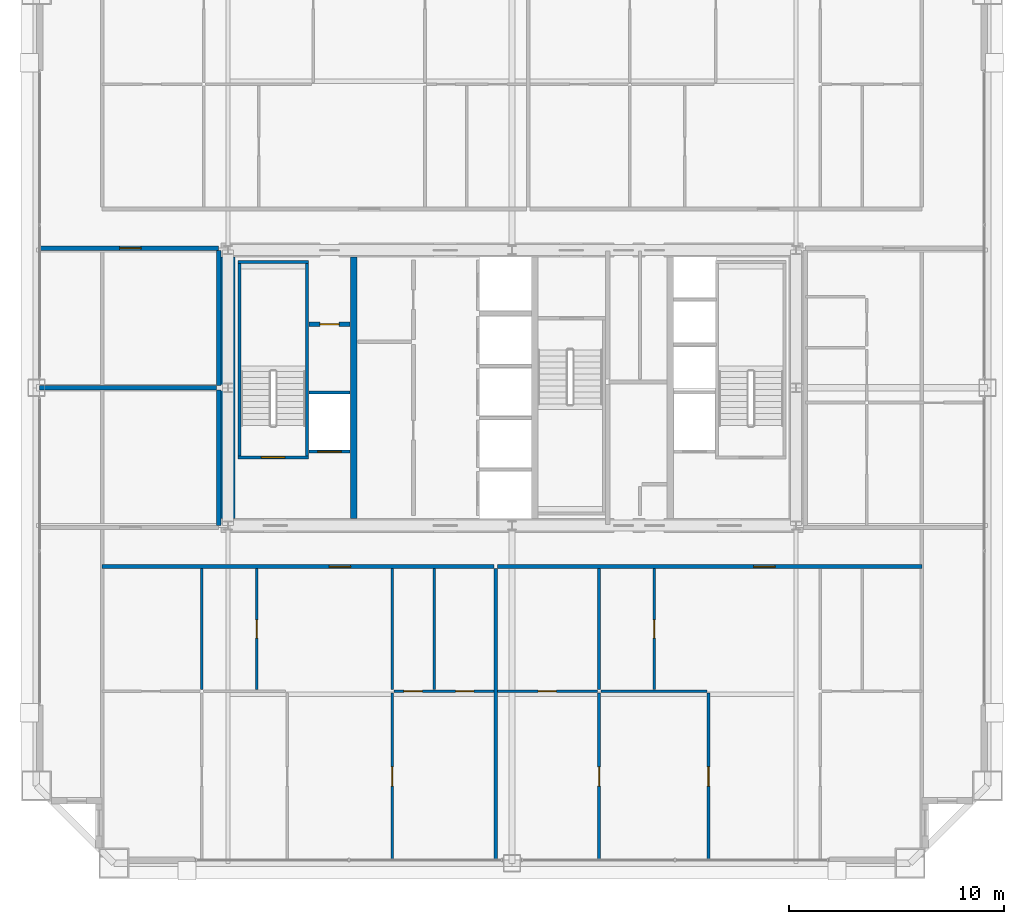
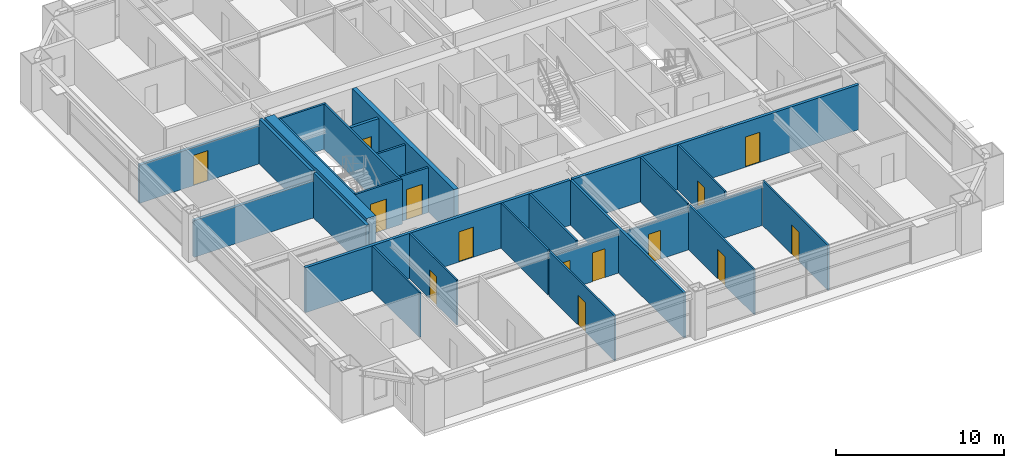
# One storey, part 33 of 38: 28 walls, 14 doors, 14 openings.
"""IFC4 building model written with IfcOpenShell, lengths in metres."""

import ifcopenshell
import ifcopenshell.guid

model = None  # the IFC model being written
_history = None  # IfcOwnerHistory: only IFC2X3 demands one
_inside = {}  # id of a spatial element -> (the spatial element, [elements in it])
_under = {}  # id of a project, library or spatial element -> (it, [spatial elements below it])
_declared = {}  # id of a project -> (the project, [libraries it declares])
_typed = {}  # id of a type object -> (the type object, [elements of that type])
_made_of = {}  # id of a material, layer set ... -> (it, [elements and type objects made of it])


def new_model(schema):
    """Start an empty IFC model of exactly this schema.

    Asked for "IFC4X3", IfcOpenShell would pick the latest addendum, in which some entities
    have other attributes; the version numbers below select the first issue.
    IFC2X3 requires an IfcOwnerHistory on every rooted entity: one is made here for all.
    """
    global model, _history
    if schema == "IFC4X3":
        model = ifcopenshell.file(schema_version=(4, 3, 0, 0))
    else:
        model = ifcopenshell.file(schema=schema)
    _inside.clear()
    _under.clear()
    _declared.clear()
    _typed.clear()
    _made_of.clear()
    _history = None
    if model.schema == "IFC2X3":
        org = make("IfcOrganization", Name="unknown")
        user = make(
            "IfcPersonAndOrganization",
            ThePerson=make("IfcPerson", FamilyName="unknown"),
            TheOrganization=org,
        )
        app = make(
            "IfcApplication",
            ApplicationDeveloper=org,
            Version="unknown",
            ApplicationFullName="unknown",
            ApplicationIdentifier="unknown",
        )
        _history = make(
            "IfcOwnerHistory",
            OwningUser=user,
            OwningApplication=app,
            ChangeAction="ADDED",
            CreationDate=0,
        )
    return model


def make(cls, **values):
    """One entity of the class cls with the attributes given. An attribute that is None is left unset."""
    return model.create_entity(
        cls, **{name: value for name, value in values.items() if value is not None}
    )


def rooted(cls, **values):
    """An entity with a GlobalId (a new one), such as an element, a storey or a relation."""
    return make(cls, GlobalId=ifcopenshell.guid.new(), OwnerHistory=_history, **values)


def si_unit(unit_type, name, prefix=None):
    """IfcSIUnit, for example si_unit("LENGTHUNIT", "METRE", prefix="MILLI")."""
    return make("IfcSIUnit", UnitType=unit_type, Prefix=prefix, Name=name)


def assignment(units):
    """IfcUnitAssignment: the units of a project."""
    return None if units is None else make("IfcUnitAssignment", Units=units)


def point(xyz):
    """IfcCartesianPoint."""
    return None if xyz is None else make("IfcCartesianPoint", Coordinates=xyz)


def direction(xyz):
    """IfcDirection."""
    return None if xyz is None else make("IfcDirection", DirectionRatios=xyz)


def frame(location, z_axis=None, x_axis=None):
    """IfcAxis2Placement3D, a coordinate frame: its origin and axes. An axis left out is left unset."""
    return make(
        "IfcAxis2Placement3D",
        Location=point(location),
        Axis=direction(z_axis),
        RefDirection=direction(x_axis),
    )


def frame_2d(location, x_axis=None):
    """IfcAxis2Placement2D, a coordinate frame in the plane: its origin and x axis."""
    return make(
        "IfcAxis2Placement2D", Location=point(location), RefDirection=direction(x_axis)
    )


def origin():
    """The frame at (0, 0, 0) with its axes left unset."""
    return frame((0.0, 0.0, 0.0))


def place(relative_to, where):
    """IfcLocalPlacement: puts the frame where relative to a parent placement (None: the world)."""
    return make(
        "IfcLocalPlacement", PlacementRelTo=relative_to, RelativePlacement=where
    )


def context(
    kind, dimensions, precision=None, world=None, true_north=None, identifier=None
):
    """IfcGeometricRepresentationContext, for example the 3D "Model" context."""
    return make(
        "IfcGeometricRepresentationContext",
        ContextIdentifier=identifier,
        ContextType=kind,
        CoordinateSpaceDimension=dimensions,
        Precision=precision,
        WorldCoordinateSystem=world,
        TrueNorth=true_north,
    )


def subcontext(parent, identifier, kind, view, scale=None):
    """IfcGeometricRepresentationSubContext, for example "Body" below "Model"."""
    return make(
        "IfcGeometricRepresentationSubContext",
        ContextIdentifier=identifier,
        ContextType=kind,
        ParentContext=parent,
        TargetScale=scale,
        TargetView=view,
    )


def project(units=None, contexts=None):
    """IfcProject with its units and contexts."""
    return rooted(
        "IfcProject",
        Name="project",
        RepresentationContexts=contexts,
        UnitsInContext=assignment(units),
    )


def spatial(cls, under=None, at=None, **own):
    """A site, building, storey or space (cls), placed at a placement, below another one or the project."""
    s = rooted(cls, ObjectPlacement=at, **own)
    if under is not None:
        _under.setdefault(under.id(), (under, []))[1].append(s)
    return s


def profile(cls, at=None, kind="AREA", **sizes):
    """A parametric profile (cls). Its sizes go by their IFC names, for example OverallWidth=200.0."""
    return make(cls, ProfileType=kind, Position=at, **sizes)


def rectangle(**sizes):
    """IfcRectangleProfileDef."""
    return profile("IfcRectangleProfileDef", **sizes)


def extrude(swept, where, along, depth):
    """IfcExtrudedAreaSolid: the profile swept, set in the frame where, extruded along a direction by depth."""
    return make(
        "IfcExtrudedAreaSolid",
        SweptArea=swept,
        Position=where,
        ExtrudedDirection=direction(along),
        Depth=depth,
    )


def shape(context_of_items, identifier, shape_type, items):
    """IfcShapeRepresentation: the items that make up one representation, for example the "Body"."""
    return make(
        "IfcShapeRepresentation",
        ContextOfItems=context_of_items,
        RepresentationIdentifier=identifier,
        RepresentationType=shape_type,
        Items=items,
    )


def source(mapping_origin, context_of_items, identifier, shape_type, items):
    """IfcRepresentationMap: a shape defined once, which mapped items show again and again."""
    return make(
        "IfcRepresentationMap",
        MappingOrigin=mapping_origin,
        MappedRepresentation=shape(context_of_items, identifier, shape_type, items),
    )


def transform(
    local_origin,
    x_axis=None,
    y_axis=None,
    z_axis=None,
    scale=None,
    scale2=None,
    scale3=None,
    uniform=True,
):
    """IfcCartesianTransformationOperator3D, or its non-uniform kind. x_axis, y_axis, z_axis: its Axis1, 2, 3."""
    if uniform:
        return make(
            "IfcCartesianTransformationOperator3D",
            Axis1=direction(x_axis),
            Axis2=direction(y_axis),
            LocalOrigin=point(local_origin),
            Scale=scale,
            Axis3=direction(z_axis),
        )
    return make(
        "IfcCartesianTransformationOperator3DnonUniform",
        Axis1=direction(x_axis),
        Axis2=direction(y_axis),
        LocalOrigin=point(local_origin),
        Scale=scale,
        Axis3=direction(z_axis),
        Scale2=scale2,
        Scale3=scale3,
    )


def mapped(mapping_source, mapping_target):
    """IfcMappedItem: shows the shape of a source again, moved by a transform."""
    return make(
        "IfcMappedItem", MappingSource=mapping_source, MappingTarget=mapping_target
    )


def material(Name=None, Category=None):
    """IfcMaterial."""
    return make("IfcMaterial", Name=Name, Category=Category)


def layer(
    of_material, thickness, ventilated=None, Name=None, Category=None, Priority=None
):
    """IfcMaterialLayer: one layer of a wall or slab, of a material (None: an air gap)."""
    return make(
        "IfcMaterialLayer",
        Material=of_material,
        LayerThickness=thickness,
        IsVentilated=ventilated,
        Name=Name,
        Category=Category,
        Priority=Priority,
    )


def layer_set(layers, Name=None):
    """IfcMaterialLayerSet."""
    return make("IfcMaterialLayerSet", MaterialLayers=layers, LayerSetName=Name)


def made_of(thing, what):
    """Note that an element or type object is made of a material, layer set ...; save() writes the relation."""
    if what is not None:
        _made_of.setdefault(what.id(), (what, []))[1].append(thing)
    return thing


def type_object(cls, material=None, **own):
    """A type object (cls), such as IfcWallType, which elements share."""
    return made_of(rooted(cls, **own), material)


def element(
    cls,
    number,
    at=None,
    inside=None,
    cuts=None,
    type_object=None,
    material=None,
    context=None,
    identifier="Body",
    shape_type=None,
    held_by="IfcProductDefinitionShape",
    body=None,
    shapes=None,
    **own,
):
    """One element of the class cls, such as IfcWall. Its Tag is "e" and its number.

    at: its placement. inside: the storey or other place that contains it. cuts: it is an
    opening in that element (IfcRelVoidsElement). A single representation is given by context,
    identifier, shape_type and body (its items); several are given by shapes. held_by: the class
    of the entity that holds the representations. save() writes the other relations.
    """
    e = rooted(cls, Tag="e%d" % number, ObjectPlacement=at, **own)
    if body is not None:
        shapes = [shape(context, identifier, shape_type, body)]
    if shapes is not None:
        e.Representation = make(held_by, Representations=shapes)
    if inside is not None:
        _inside.setdefault(inside.id(), (inside, []))[1].append(e)
    if cuts is not None:
        rooted(
            "IfcRelVoidsElement", RelatingBuildingElement=cuts, RelatedOpeningElement=e
        )
    if type_object is not None:
        _typed.setdefault(type_object.id(), (type_object, []))[1].append(e)
    return made_of(e, material)


def fill(opening, filler):
    """IfcRelFillsElement: the door or window that sits in an opening."""
    return rooted(
        "IfcRelFillsElement",
        RelatingOpeningElement=opening,
        RelatedBuildingElement=filler,
    )


def aggregate(whole, parts):
    """IfcRelAggregates: a whole, such as a stair, and the parts it consists of."""
    return rooted("IfcRelAggregates", RelatingObject=whole, RelatedObjects=parts)


def save(model, path):
    """Write the relations noted so far, then the file.

    IfcRelAggregates (storeys below a building ...), IfcRelContainedInSpatialStructure (elements
    in a storey), IfcRelDefinesByType, IfcRelAssociatesMaterial and IfcRelDeclares: one each for
    every whole, place, type object, material and project.
    """
    for whole, parts in _under.values():
        aggregate(whole, parts)
    for where, things in _inside.values():
        rooted(
            "IfcRelContainedInSpatialStructure",
            RelatedElements=things,
            RelatingStructure=where,
        )
    for kind, things in _typed.values():
        rooted("IfcRelDefinesByType", RelatedObjects=things, RelatingType=kind)
    for what, things in _made_of.values():
        rooted("IfcRelAssociatesMaterial", RelatedObjects=things, RelatingMaterial=what)
    for by, libraries in _declared.values():
        rooted("IfcRelDeclares", RelatingContext=by, RelatedDefinitions=libraries)
    model.write(path)


model = new_model("IFC4")

# Units and contexts
model_context = context("Model", 3, precision=1e-05, world=origin(), true_north=direction((0.0, 1.0)))
body_context = subcontext(model_context, "Body", "Model", "MODEL_VIEW")
ifc_project = project(units=[si_unit("LENGTHUNIT", "METRE"), si_unit("AREAUNIT", "SQUARE_METRE"), si_unit("VOLUMEUNIT", "CUBIC_METRE"), si_unit("PLANEANGLEUNIT", "RADIAN"), si_unit("MASSUNIT", "GRAM", prefix="KILO"), si_unit("THERMODYNAMICTEMPERATUREUNIT", "KELVIN"), si_unit("POWERUNIT", "WATT")], contexts=[model_context])

# Site, building, storey
site_placement = place(None, origin())
site = spatial("IfcSite", under=ifc_project, at=site_placement, CompositionType="ELEMENT")
building_placement = place(site_placement, origin())
building = spatial("IfcBuilding", under=site, at=building_placement, Name="Yuzanri Waterfront Tower", CompositionType="ELEMENT")
storey_placement = place(building_placement, frame((0.0, 0.0, 195.0)))
storey = spatial("IfcBuildingStorey", under=building, at=storey_placement, Name="L51", CompositionType="ELEMENT", Elevation=195.0)

# Wall, opening, door
ifc_material_1 = material(Name="Moisture-Resistant Gypsum Stud Wall", Category="gypsum")
ifc_layer_1 = layer(ifc_material_1, 0.1201171875)
ifc_layer_set_1 = layer_set([ifc_layer_1], Name="Moisture-Resistant Gypsum Stud Wall")
wall_type_1 = type_object("IfcWallType", Name="Bathroom and Kitchen Wet Partition 120", PredefinedType="PARTITIONING", material=ifc_layer_set_1)
wall_1_placement = place(storey_placement, frame((25.134033203125, 11.780029296875, 0.0), z_axis=(0.0, 0.0, 1.0), x_axis=(0.0, 1.0, 0.0)))
wall_1 = element("IfcWall", 1, at=wall_1_placement, inside=storey, type_object=wall_type_1, Name="L51 Partition UW-L51-RS1-SUB-2-E", PredefinedType="PARTITIONING", context=body_context, shape_type="SweptSolid", body=[
    extrude(rectangle(XDim=5.60986328125, YDim=0.1201171875, at=frame_2d((2.804931640625, 0.0))), origin(), (0.0, 0.0, 1.0), 3.280029296875),
])
opening_1_placement = place(wall_1_placement, frame((2.3798828125, 0.0, 0.0)))
opening_1 = element("IfcOpeningElement", 2, at=opening_1_placement, cuts=wall_1, Name="Opening ID-0850", PredefinedType="OPENING", context=body_context, shape_type="SweptSolid", body=[
    extrude(rectangle(XDim=0.85009765625, YDim=2.10009765625, at=frame_2d((0.425048828125, 1.050048828125))), frame((0.0, 0.074951171875, 0.0), z_axis=(0.0, -1.0, 0.0), x_axis=(1.0, 0.0, 0.0)), (0.0, 0.0, 1.0), 0.14990234375),
])
ifc_material_2 = material(Name="Moisture-Resistant Lacquered Timber", Category="wood")
door_type_1 = type_object("IfcDoorType", Name="En-Suite Bathroom and Kitchen Swing Door 850x2100", OperationType="NOTDEFINED", PredefinedType="DOOR", material=ifc_material_2)
shared_shape_1 = source(origin(), body_context, "Body", "SweptSolid", [
    extrude(rectangle(XDim=0.85009765625, YDim=2.10009765625, at=frame_2d((0.425048828125, 1.050048828125))), frame((0.0, 0.02490234375, 0.0), z_axis=(0.0, -1.0, 0.0), x_axis=(1.0, 0.0, 0.0)), (0.0, 0.0, 1.0), 0.050048828125),
])
door_1_placement = place(opening_1_placement, origin())
door_1 = element("IfcDoor", 3, at=door_1_placement, inside=storey, type_object=door_type_1, Name="L51 Suite Interior Room Door", OperationType="SINGLE_SWING_LEFT", OverallHeight=2.10009765625, OverallWidth=0.85009765625, PredefinedType="DOOR", context=body_context, shape_type="MappedRepresentation", body=[
    mapped(shared_shape_1, transform((0.0, 0.0, 0.0), scale=1.0)),
])
fill(opening_1, door_1)

# Wall, openings, doors
wall_2_placement = place(storey_placement, frame((31.510986328125, 11.699951171875, 0.0), z_axis=(0.0, 0.0, 1.0), x_axis=(1.0, 0.0, 0.0)))
wall_2 = element("IfcWall", 4, at=wall_2_placement, inside=storey, type_object=wall_type_1, Name="L51 Partition UW-L51-RS1-SUB-6-N", PredefinedType="PARTITIONING", context=body_context, shape_type="SweptSolid", body=[
    extrude(rectangle(XDim=4.64697265625, YDim=0.1201171875, at=frame_2d((2.323486328125, 0.0))), origin(), (0.0, 0.0, 1.0), 2.875),
])
opening_2_placement = place(wall_2_placement, frame((2.8720703125, 0.0, 0.0)))
opening_2 = element("IfcOpeningElement", 5, at=opening_2_placement, cuts=wall_2, Name="Opening ID-0850", PredefinedType="OPENING", context=body_context, shape_type="SweptSolid", body=[
    extrude(rectangle(XDim=0.85009765625, YDim=2.10009765625, at=frame_2d((0.425048828125, 1.050048828125))), frame((0.0, 0.074951171875, 0.0), z_axis=(0.0, -1.0, 0.0), x_axis=(1.0, 0.0, 0.0)), (0.0, 0.0, 1.0), 0.14990234375),
])
opening_3_placement = place(wall_2_placement, frame((0.468505859375, 0.0, 0.0)))
opening_3 = element("IfcOpeningElement", 6, at=opening_3_placement, cuts=wall_2, Name="Opening ID-0850", PredefinedType="OPENING", context=body_context, shape_type="SweptSolid", body=[
    extrude(rectangle(XDim=0.85009765625, YDim=2.10009765625, at=frame_2d((0.425048828125, 1.050048828125))), frame((0.0, 0.074951171875, 0.0), z_axis=(0.0, -1.0, 0.0), x_axis=(1.0, 0.0, 0.0)), (0.0, 0.0, 1.0), 0.14990234375),
])
door_2_placement = place(opening_2_placement, origin())
door_2 = element("IfcDoor", 7, at=door_2_placement, inside=storey, type_object=door_type_1, Name="L51 Suite Interior Room Door", OperationType="SINGLE_SWING_RIGHT", OverallHeight=2.10009765625, OverallWidth=0.85009765625, PredefinedType="DOOR", context=body_context, shape_type="MappedRepresentation", body=[
    mapped(shared_shape_1, transform((0.0, 0.0, 0.0), scale=1.0)),
])
fill(opening_2, door_2)
door_3_placement = place(opening_3_placement, origin())
door_3 = element("IfcDoor", 8, at=door_3_placement, inside=storey, type_object=door_type_1, Name="L51 Suite Interior Room Door", OperationType="SINGLE_SWING_LEFT", OverallHeight=2.10009765625, OverallWidth=0.85009765625, PredefinedType="DOOR", context=body_context, shape_type="MappedRepresentation", body=[
    mapped(shared_shape_1, transform((0.0, 0.0, 0.0), scale=1.0)),
])
fill(opening_3, door_3)

# Wall, opening, door
wall_3_placement = place(storey_placement, frame((31.430908203125, 3.85009765625, 0.0), z_axis=(0.0, 0.0, 1.0), x_axis=(0.0, 1.0, 0.0)))
wall_3 = element("IfcWall", 9, at=wall_3_placement, inside=storey, type_object=wall_type_1, Name="L51 Partition UW-L51-RS1-SUB-6-W", PredefinedType="PARTITIONING", context=body_context, shape_type="SweptSolid", body=[
    extrude(rectangle(XDim=7.77001953125, YDim=0.1201171875, at=frame_2d((3.885009765625, 0.0))), origin(), (0.0, 0.0, 1.0), 3.280029296875),
])
opening_4_placement = place(wall_3_placement, frame((3.43505859375, 0.0, 0.0)))
opening_4 = element("IfcOpeningElement", 10, at=opening_4_placement, cuts=wall_3, Name="Opening ID-0900", PredefinedType="OPENING", context=body_context, shape_type="SweptSolid", body=[
    extrude(rectangle(XDim=0.89990234375, YDim=2.14990234375, at=frame_2d((0.449951171875, 1.074951171875))), frame((0.0, 0.074951171875, 0.0), z_axis=(0.0, -1.0, 0.0), x_axis=(1.0, 0.0, 0.0)), (0.0, 0.0, 1.0), 0.14990234375),
])
ifc_material_3 = material(Name="Stained Walnut Veneer Timber", Category="wood")
door_type_2 = type_object("IfcDoorType", Name="Bedroom and Study Interior Swing Door 900x2150", OperationType="NOTDEFINED", PredefinedType="DOOR", material=ifc_material_3)
shared_shape_2 = source(origin(), body_context, "Body", "SweptSolid", [
    extrude(rectangle(XDim=0.89990234375, YDim=2.14990234375, at=frame_2d((0.449951171875, 1.074951171875))), frame((0.0, 0.02490234375, 0.0), z_axis=(0.0, -1.0, 0.0), x_axis=(1.0, 0.0, 0.0)), (0.0, 0.0, 1.0), 0.050048828125),
])
door_4_placement = place(opening_4_placement, origin())
door_4 = element("IfcDoor", 11, at=door_4_placement, inside=storey, type_object=door_type_2, Name="L51 Suite Interior Room Door", OperationType="SINGLE_SWING_LEFT", OverallHeight=2.14990234375, OverallWidth=0.89990234375, PredefinedType="DOOR", context=body_context, shape_type="MappedRepresentation", body=[
    mapped(shared_shape_2, transform((0.0, 0.0, 0.0), scale=1.0)),
])
fill(opening_4, door_4)

wall_4_placement = place(storey_placement, frame((36.318115234375, 11.699951171875, 0.0), z_axis=(0.0, 0.0, 1.0), x_axis=(1.0, 0.0, 0.0)))
wall_4 = element("IfcWall", 12, at=wall_4_placement, inside=storey, type_object=wall_type_1, Name="L51 Partition UW-L51-RS2-SUB-1-S", PredefinedType="PARTITIONING", context=body_context, shape_type="SweptSolid", body=[
    extrude(rectangle(XDim=4.64697265625, YDim=0.1201171875, at=frame_2d((2.323486328125, 0.0))), origin(), (0.0, 0.0, 1.0), 2.875),
])
opening_5_placement = place(wall_4_placement, frame((1.8984375, 0.0, 0.0)))
opening_5 = element("IfcOpeningElement", 13, at=opening_5_placement, cuts=wall_4, Name="Opening ID-0850", PredefinedType="OPENING", context=body_context, shape_type="SweptSolid", body=[
    extrude(rectangle(XDim=0.85009765625, YDim=2.10009765625, at=frame_2d((0.425048828125, 1.050048828125))), frame((0.0, 0.074951171875, 0.0), z_axis=(0.0, -1.0, 0.0), x_axis=(1.0, 0.0, 0.0)), (0.0, 0.0, 1.0), 0.14990234375),
])
door_5_placement = place(opening_5_placement, origin())
door_5 = element("IfcDoor", 14, at=door_5_placement, inside=storey, type_object=door_type_1, Name="L51 Suite Interior Room Door", OperationType="SINGLE_SWING_RIGHT", OverallHeight=2.10009765625, OverallWidth=0.85009765625, PredefinedType="DOOR", context=body_context, shape_type="MappedRepresentation", body=[
    mapped(shared_shape_1, transform((0.0, 0.0, 0.0), scale=1.0)),
])
fill(opening_5, door_5)

wall_5_placement = place(storey_placement, frame((43.60498046875, 11.780029296875, 0.0), z_axis=(0.0, 0.0, 1.0), x_axis=(0.0, 1.0, 0.0)))
wall_5 = element("IfcWall", 15, at=wall_5_placement, inside=storey, type_object=wall_type_1, Name="L51 Partition UW-L51-RS2-SUB-2-E", PredefinedType="PARTITIONING", context=body_context, shape_type="SweptSolid", body=[
    extrude(rectangle(XDim=5.60986328125, YDim=0.1201171875, at=frame_2d((2.804931640625, 0.0))), origin(), (0.0, 0.0, 1.0), 3.280029296875),
])
opening_6_placement = place(wall_5_placement, frame((2.3798828125, 0.0, 0.0)))
opening_6 = element("IfcOpeningElement", 16, at=opening_6_placement, cuts=wall_5, Name="Opening ID-0850", PredefinedType="OPENING", context=body_context, shape_type="SweptSolid", body=[
    extrude(rectangle(XDim=0.85009765625, YDim=2.10009765625, at=frame_2d((0.425048828125, 1.050048828125))), frame((0.0, 0.074951171875, 0.0), z_axis=(0.0, -1.0, 0.0), x_axis=(1.0, 0.0, 0.0)), (0.0, 0.0, 1.0), 0.14990234375),
])
door_6_placement = place(opening_6_placement, origin())
door_6 = element("IfcDoor", 17, at=door_6_placement, inside=storey, type_object=door_type_1, Name="L51 Suite Interior Room Door", OperationType="SINGLE_SWING_LEFT", OverallHeight=2.10009765625, OverallWidth=0.85009765625, PredefinedType="DOOR", context=body_context, shape_type="MappedRepresentation", body=[
    mapped(shared_shape_1, transform((0.0, 0.0, 0.0), scale=1.0)),
])
fill(opening_6, door_6)

wall_6_placement = place(storey_placement, frame((41.044921875, 3.85009765625, 0.0), z_axis=(0.0, 0.0, 1.0), x_axis=(0.0, 1.0, 0.0)))
wall_6 = element("IfcWall", 18, at=wall_6_placement, inside=storey, type_object=wall_type_1, Name="L51 Partition UW-L51-RS2-SUB-5-E", PredefinedType="PARTITIONING", context=body_context, shape_type="SweptSolid", body=[
    extrude(rectangle(XDim=7.77001953125, YDim=0.1201171875, at=frame_2d((3.885009765625, 0.0))), origin(), (0.0, 0.0, 1.0), 3.280029296875),
])
opening_7_placement = place(wall_6_placement, frame((3.43505859375, 0.0, 0.0)))
opening_7 = element("IfcOpeningElement", 19, at=opening_7_placement, cuts=wall_6, Name="Opening ID-0900", PredefinedType="OPENING", context=body_context, shape_type="SweptSolid", body=[
    extrude(rectangle(XDim=0.89990234375, YDim=2.14990234375, at=frame_2d((0.449951171875, 1.074951171875))), frame((0.0, 0.074951171875, 0.0), z_axis=(0.0, -1.0, 0.0), x_axis=(1.0, 0.0, 0.0)), (0.0, 0.0, 1.0), 0.14990234375),
])
door_7_placement = place(opening_7_placement, origin())
door_7 = element("IfcDoor", 20, at=door_7_placement, inside=storey, type_object=door_type_2, Name="L51 Suite Interior Room Door", OperationType="SINGLE_SWING_RIGHT", OverallHeight=2.14990234375, OverallWidth=0.89990234375, PredefinedType="DOOR", context=body_context, shape_type="MappedRepresentation", body=[
    mapped(shared_shape_2, transform((0.0, 0.0, 0.0), scale=1.0)),
])
fill(opening_7, door_7)

wall_7_placement = place(storey_placement, frame((46.133056640625, 3.85009765625, 0.0), z_axis=(0.0, 0.0, 1.0), x_axis=(0.0, 1.0, 0.0)))
wall_7 = element("IfcWall", 21, at=wall_7_placement, inside=storey, type_object=wall_type_1, Name="L51 Partition UW-L51-RS2-SUB-7-E", PredefinedType="PARTITIONING", context=body_context, shape_type="SweptSolid", body=[
    extrude(rectangle(XDim=7.77001953125, YDim=0.1201171875, at=frame_2d((3.885009765625, 0.0))), origin(), (0.0, 0.0, 1.0), 3.280029296875),
])
opening_8_placement = place(wall_7_placement, frame((3.43505859375, 0.0, 0.0)))
opening_8 = element("IfcOpeningElement", 22, at=opening_8_placement, cuts=wall_7, Name="Opening ID-0900", PredefinedType="OPENING", context=body_context, shape_type="SweptSolid", body=[
    extrude(rectangle(XDim=0.89990234375, YDim=2.14990234375, at=frame_2d((0.449951171875, 1.074951171875))), frame((0.0, 0.074951171875, 0.0), z_axis=(0.0, -1.0, 0.0), x_axis=(1.0, 0.0, 0.0)), (0.0, 0.0, 1.0), 0.14990234375),
])
door_8_placement = place(opening_8_placement, origin())
door_8 = element("IfcDoor", 23, at=door_8_placement, inside=storey, type_object=door_type_2, Name="L51 Suite Interior Room Door", OperationType="SINGLE_SWING_RIGHT", OverallHeight=2.14990234375, OverallWidth=0.89990234375, PredefinedType="DOOR", context=body_context, shape_type="MappedRepresentation", body=[
    mapped(shared_shape_2, transform((0.0, 0.0, 0.0), scale=1.0)),
])
fill(opening_8, door_8)

ifc_material_4 = material(Name="Concrete C40", Category="concrete")
ifc_layer_2 = layer(ifc_material_4, 0.139892578125)
ifc_layer_set_2 = layer_set([ifc_layer_2], Name="Concrete C40")
wall_type_2 = type_object("IfcWallType", Name="Core Stair Liner and Hoistway Shaft Wall 140", PredefinedType="SOLIDWALL", material=ifc_layer_set_2)
wall_8_placement = place(storey_placement, frame((27.56005859375, 22.830078125, 0.0), z_axis=(0.0, 0.0, 1.0), x_axis=(1.0, 0.0, 0.0)))
wall_8 = element("IfcWall", 24, at=wall_8_placement, inside=storey, type_object=wall_type_2, Name="L51 Lift FL-01 Front Shaft Wall", PredefinedType="SOLIDWALL", context=body_context, shape_type="SweptSolid", body=[
    extrude(rectangle(XDim=1.919921875, YDim=0.139892578125, at=frame_2d((0.9599609375, 0.0))), origin(), (0.0, 0.0, 1.0), 3.280029296875),
])
opening_9_placement = place(wall_8_placement, frame((0.409912109375, 0.0, 0.0)))
opening_9 = element("IfcOpeningElement", 25, at=opening_9_placement, cuts=wall_8, Name="Opening LD-FL-01", PredefinedType="OPENING", context=body_context, shape_type="SweptSolid", body=[
    extrude(rectangle(XDim=1.10009765625, YDim=2.199951171875, at=frame_2d((0.550048828125, 1.10009765625))), frame((0.0, 0.0849609375, 0.0), z_axis=(0.0, -1.0, 0.0), x_axis=(1.0, 0.0, 0.0)), (0.0, 0.0, 1.0), 0.169677734375),
])
ifc_material_5 = material(Name="Brushed Bronze and Stainless Steel Cab", Category="steel")
door_type_3 = type_object("IfcDoorType", Name="Center-Parting Bronze Lift Landing Sliding Door 1100x2200", OperationType="NOTDEFINED", PredefinedType="DOOR", material=ifc_material_5)
shared_shape_3 = source(origin(), body_context, "Body", "SweptSolid", [
    extrude(rectangle(XDim=1.10009765625, YDim=2.199951171875, at=frame_2d((0.550048828125, 1.10009765625))), frame((0.0, 0.02490234375, 0.0), z_axis=(0.0, -1.0, 0.0), x_axis=(1.0, 0.0, 0.0)), (0.0, 0.0, 1.0), 0.050048828125),
])
door_9_placement = place(opening_9_placement, origin())
door_9 = element("IfcDoor", 26, at=door_9_placement, inside=storey, type_object=door_type_3, Name="L51 FL-01 Lift Landing Sliding Door", OperationType="SLIDING_TO_LEFT", OverallHeight=2.199951171875, OverallWidth=1.10009765625, PredefinedType="DOOR", context=body_context, shape_type="MappedRepresentation", body=[
    mapped(shared_shape_3, transform((0.0, 0.0, 0.0), scale=1.0)),
])
fill(opening_9, door_9)

wall_9_placement = place(storey_placement, frame((24.260009765625, 22.570068359375, 0.0), z_axis=(0.0, 0.0, 1.0), x_axis=(1.0, 0.0, 0.0)))
wall_9 = element("IfcWall", 27, at=wall_9_placement, inside=storey, type_object=wall_type_2, Name="L51 Shaft Wall STW-L51-ST-01-S", PredefinedType="SOLIDWALL", context=body_context, shape_type="SweptSolid", body=[
    extrude(rectangle(XDim=3.280029296875, YDim=0.139892578125, at=frame_2d((1.64013671875, 0.0))), origin(), (0.0, 0.0, 1.0), 3.280029296875),
])
opening_10_placement = place(wall_9_placement, frame((1.090087890625, 0.0, 0.0)))
opening_10 = element("IfcOpeningElement", 28, at=opening_10_placement, cuts=wall_9, Name="Opening FD-1100", PredefinedType="OPENING", context=body_context, shape_type="SweptSolid", body=[
    extrude(rectangle(XDim=1.10009765625, YDim=2.199951171875, at=frame_2d((0.550048828125, 1.10009765625))), frame((0.0, 0.0849609375, 0.0), z_axis=(0.0, -1.0, 0.0), x_axis=(1.0, 0.0, 0.0)), (0.0, 0.0, 1.0), 0.169677734375),
])
ifc_material_6 = material(Name="Painted Galvanized Fire Steel", Category="steel")
door_type_4 = type_object("IfcDoorType", Name="Smoke-Proof Stair and Lobby Fire Door 1100x2200", OperationType="NOTDEFINED", PredefinedType="DOOR", material=ifc_material_6)
shared_shape_4 = source(origin(), body_context, "Body", "SweptSolid", [
    extrude(rectangle(XDim=1.10009765625, YDim=2.199951171875, at=frame_2d((0.550048828125, 1.10009765625))), frame((0.0, 0.02490234375, 0.0), z_axis=(0.0, -1.0, 0.0), x_axis=(1.0, 0.0, 0.0)), (0.0, 0.0, 1.0), 0.050048828125),
])
door_10_placement = place(opening_10_placement, origin())
door_10 = element("IfcDoor", 29, at=door_10_placement, inside=storey, type_object=door_type_4, Name="L51 Stair ST-01 Fire Door", OperationType="SINGLE_SWING_LEFT", OverallHeight=2.199951171875, OverallWidth=1.10009765625, PredefinedType="DOOR", context=body_context, shape_type="MappedRepresentation", body=[
    mapped(shared_shape_4, transform((0.0, 0.0, 0.0), scale=1.0)),
])
fill(opening_10, door_10)

ifc_material_7 = material(Name="Autoclaved Aerated Concrete Blockwork", Category="masonry")
ifc_layer_3 = layer(ifc_material_7, 0.199951171875)
ifc_layer_set_3 = layer_set([ifc_layer_3], Name="Autoclaved Aerated Concrete Blockwork")
wall_type_3 = type_object("IfcWallType", Name="Corridor and Unit Party Fire Wall 200", PredefinedType="PARTITIONING", material=ifc_layer_set_3)
wall_10_placement = place(storey_placement, frame((27.56005859375, 28.75, 0.0), z_axis=(0.0, 0.0, 1.0), x_axis=(1.0, 0.0, 0.0)))
wall_10 = element("IfcWall", 30, at=wall_10_placement, inside=storey, type_object=wall_type_3, Name="L51 Partition CRW-L51-ERTR", PredefinedType="PARTITIONING", context=body_context, shape_type="SweptSolid", body=[
    extrude(rectangle(XDim=1.919921875, YDim=0.199951171875, at=frame_2d((0.9599609375, 0.0))), origin(), (0.0, 0.0, 1.0), 3.280029296875),
])
opening_11_placement = place(wall_10_placement, frame((0.510009765625, 0.0, 0.0)))
opening_11 = element("IfcOpeningElement", 31, at=opening_11_placement, cuts=wall_10, Name="Opening FD-0900", PredefinedType="OPENING", context=body_context, shape_type="SweptSolid", body=[
    extrude(rectangle(XDim=0.89990234375, YDim=2.14990234375, at=frame_2d((0.449951171875, 1.074951171875))), frame((0.0, 0.11474609375, 0.0), z_axis=(0.0, -1.0, 0.0), x_axis=(1.0, 0.0, 0.0)), (0.0, 0.0, 1.0), 0.229736328125),
])
ifc_material_8 = material(Name="Painted Galvanized Fire Steel", Category="steel")
door_type_5 = type_object("IfcDoorType", Name="Riser and Service Room Fire Door 900x2150", OperationType="NOTDEFINED", PredefinedType="DOOR", material=ifc_material_8)
shared_shape_5 = source(origin(), body_context, "Body", "SweptSolid", [
    extrude(rectangle(XDim=0.89990234375, YDim=2.14990234375, at=frame_2d((0.449951171875, 1.074951171875))), frame((0.0, 0.02490234375, 0.0), z_axis=(0.0, -1.0, 0.0), x_axis=(1.0, 0.0, 0.0)), (0.0, 0.0, 1.0), 0.050048828125),
])
door_11_placement = place(opening_11_placement, origin())
door_11 = element("IfcDoor", 32, at=door_11_placement, inside=storey, type_object=door_type_5, Name="L51 Electrical Riser Door", OperationType="SINGLE_SWING_RIGHT", OverallHeight=2.14990234375, OverallWidth=0.89990234375, PredefinedType="DOOR", context=body_context, shape_type="MappedRepresentation", body=[
    mapped(shared_shape_5, transform((0.0, 0.0, 0.0), scale=1.0)),
])
fill(opening_11, door_11)

wall_11_placement = place(storey_placement, frame((17.93994140625, 17.489990234375, 0.0), z_axis=(0.0, 0.0, 1.0), x_axis=(1.0, 0.0, 0.0)))
wall_11 = element("IfcWall", 33, at=wall_11_placement, inside=storey, type_object=wall_type_3, Name="L51 Partition UW-L51-RS1-CN", PredefinedType="PARTITIONING", context=body_context, shape_type="SweptSolid", body=[
    extrude(rectangle(XDim=18.218017578125, YDim=0.199951171875, at=frame_2d((9.10888671875, 0.0))), origin(), (0.0, 0.0, 1.0), 3.280029296875),
])
opening_12_placement = place(wall_11_placement, frame((10.555908203125, 0.0, 0.0)))
opening_12 = element("IfcOpeningElement", 34, at=opening_12_placement, cuts=wall_11, Name="Opening FD-1000", PredefinedType="OPENING", context=body_context, shape_type="SweptSolid", body=[
    extrude(rectangle(XDim=1.0, YDim=2.199951171875, at=frame_2d((0.5, 1.10009765625))), frame((0.0, 0.11474609375, 0.0), z_axis=(0.0, -1.0, 0.0), x_axis=(1.0, 0.0, 0.0)), (0.0, 0.0, 1.0), 0.229736328125),
])
ifc_material_9 = material(Name="Engineered Oak Fire-Rated Timber", Category="wood")
door_type_6 = type_object("IfcDoorType", Name="Guestroom and Apartment Entrance Fire Door 1000x2200", OperationType="NOTDEFINED", PredefinedType="DOOR", material=ifc_material_9)
shared_shape_6 = source(origin(), body_context, "Body", "SweptSolid", [
    extrude(rectangle(XDim=1.0, YDim=2.199951171875, at=frame_2d((0.5, 1.10009765625))), frame((0.0, 0.02490234375, 0.0), z_axis=(0.0, -1.0, 0.0), x_axis=(1.0, 0.0, 0.0)), (0.0, 0.0, 1.0), 0.050048828125),
])
door_12_placement = place(opening_12_placement, origin())
door_12 = element("IfcDoor", 35, at=door_12_placement, inside=storey, type_object=door_type_6, Name="L51 Apartment Living and Dining Salon Entrance Door", OperationType="SINGLE_SWING_LEFT", OverallHeight=2.199951171875, OverallWidth=1.0, PredefinedType="DOOR", context=body_context, shape_type="MappedRepresentation", body=[
    mapped(shared_shape_6, transform((0.0, 0.0, 0.0), scale=1.0)),
])
fill(opening_12, door_12)

wall_12_placement = place(storey_placement, frame((36.318115234375, 17.489990234375, 0.0), z_axis=(0.0, 0.0, 1.0), x_axis=(1.0, 0.0, 0.0)))
wall_12 = element("IfcWall", 36, at=wall_12_placement, inside=storey, type_object=wall_type_3, Name="L51 Partition UW-L51-RS2-CN", PredefinedType="PARTITIONING", context=body_context, shape_type="SweptSolid", body=[
    extrude(rectangle(XDim=19.741943359375, YDim=0.199951171875, at=frame_2d((9.87109375, 0.0))), origin(), (0.0, 0.0, 1.0), 3.280029296875),
])
opening_13_placement = place(wall_12_placement, frame((11.9150390625, 0.0, 0.0)))
opening_13 = element("IfcOpeningElement", 37, at=opening_13_placement, cuts=wall_12, Name="Opening FD-1000", PredefinedType="OPENING", context=body_context, shape_type="SweptSolid", body=[
    extrude(rectangle(XDim=1.0, YDim=2.199951171875, at=frame_2d((0.5, 1.10009765625))), frame((0.0, 0.11474609375, 0.0), z_axis=(0.0, -1.0, 0.0), x_axis=(1.0, 0.0, 0.0)), (0.0, 0.0, 1.0), 0.229736328125),
])
door_13_placement = place(opening_13_placement, origin())
door_13 = element("IfcDoor", 38, at=door_13_placement, inside=storey, type_object=door_type_6, Name="L51 Apartment Living and Dining Salon Entrance Door", OperationType="SINGLE_SWING_LEFT", OverallHeight=2.199951171875, OverallWidth=1.0, PredefinedType="DOOR", context=body_context, shape_type="MappedRepresentation", body=[
    mapped(shared_shape_6, transform((0.0, 0.0, 0.0), scale=1.0)),
])
fill(opening_13, door_13)

wall_13_placement = place(storey_placement, frame((15.050048828125, 32.2900390625, 0.0), z_axis=(0.0, 0.0, 1.0), x_axis=(1.0, 0.0, 0.0)))
wall_13 = element("IfcWall", 39, at=wall_13_placement, inside=storey, type_object=wall_type_3, Name="L51 Partition UW-L51-051-CN", PredefinedType="PARTITIONING", context=body_context, shape_type="SweptSolid", body=[
    extrude(rectangle(XDim=8.300048828125, YDim=0.199951171875, at=frame_2d((4.14990234375, 0.0))), origin(), (0.0, 0.0, 1.0), 2.77490234375),
])
opening_14_placement = place(wall_13_placement, frame((3.715087890625, 0.0, 0.0)))
opening_14 = element("IfcOpeningElement", 40, at=opening_14_placement, cuts=wall_13, Name="Opening FD-1000", PredefinedType="OPENING", context=body_context, shape_type="SweptSolid", body=[
    extrude(rectangle(XDim=1.0, YDim=2.199951171875, at=frame_2d((0.5, 1.10009765625))), frame((0.0, 0.11474609375, 0.0), z_axis=(0.0, -1.0, 0.0), x_axis=(1.0, 0.0, 0.0)), (0.0, 0.0, 1.0), 0.229736328125),
])
door_14_placement = place(opening_14_placement, origin())
door_14 = element("IfcDoor", 41, at=door_14_placement, inside=storey, type_object=door_type_6, Name="L51 Residents W Library Reading Room Entrance Door", OperationType="SINGLE_SWING_RIGHT", OverallHeight=2.199951171875, OverallWidth=1.0, PredefinedType="DOOR", context=body_context, shape_type="MappedRepresentation", body=[
    mapped(shared_shape_6, transform((0.0, 0.0, 0.0), scale=1.0)),
])
fill(opening_14, door_14)

# Walls
ifc_material_10 = material(Name="Concrete C50", Category="concrete")
ifc_layer_4 = layer(ifc_material_10, 0.64990234375)
ifc_layer_set_4 = layer_set([ifc_layer_4], Name="Concrete C50")
wall_type_4 = type_object("IfcWallType", Name="Concrete C50 Mid Zone Core Shear Wall 650", PredefinedType="SHEAR", material=ifc_layer_set_4)
shared_shape_7 = source(origin(), body_context, "Body", "SweptSolid", [
    extrude(rectangle(XDim=12.14990234375, YDim=0.64990234375, at=frame_2d((6.074951171875, 0.0))), origin(), (0.0, 0.0, 1.0), 3.5),
])
wall_14_placement = place(storey_placement, frame((23.800048828125, 19.72509765625, 0.0), z_axis=(0.0, 0.0, 1.0), x_axis=(0.0, 1.0, 0.0)))
element("IfcWall", 42, at=wall_14_placement, inside=storey, type_object=wall_type_4, Name="L51 Core West Shear Wall", PredefinedType="SHEAR", context=body_context, shape_type="MappedRepresentation", body=[
    mapped(shared_shape_7, transform((0.0, 0.0, 0.0), scale=1.0)),
])
ifc_material_11 = material(Name="Concrete C50", Category="concrete")
ifc_layer_5 = layer(ifc_material_11, 0.300048828125)
ifc_layer_set_5 = layer_set([ifc_layer_5], Name="Concrete C50")
wall_type_5 = type_object("IfcWallType", Name="Concrete C50 Internal Core Shaft Structural Wall 300", PredefinedType="SOLIDWALL", material=ifc_layer_set_5)
shared_shape_8 = source(origin(), body_context, "Body", "SweptSolid", [
    extrude(rectangle(XDim=12.14990234375, YDim=0.300048828125, at=frame_2d((6.074951171875, 0.0))), origin(), (0.0, 0.0, 1.0), 3.5),
])
wall_15_placement = place(storey_placement, frame((29.64990234375, 19.72509765625, 0.0), z_axis=(0.0, 0.0, 1.0), x_axis=(0.0, 1.0, 0.0)))
element("IfcWall", 43, at=wall_15_placement, inside=storey, type_object=wall_type_5, Name="L51 Core Internal Structural Web Wall 1", PredefinedType="SOLIDWALL", context=body_context, shape_type="MappedRepresentation", body=[
    mapped(shared_shape_8, transform((0.0, 0.0, 0.0), scale=1.0)),
])
shared_shape_9 = source(origin(), body_context, "Body", "SweptSolid", [
    extrude(rectangle(XDim=1.919921875, YDim=0.139892578125, at=frame_2d((0.9599609375, 0.0))), origin(), (0.0, 0.0, 1.0), 3.280029296875),
])
wall_16_placement = place(storey_placement, frame((27.56005859375, 25.570068359375, 0.0), z_axis=(0.0, 0.0, 1.0), x_axis=(1.0, 0.0, 0.0)))
element("IfcWall", 44, at=wall_16_placement, inside=storey, type_object=wall_type_2, Name="L51 Lift FL-01 Back Shaft Wall", PredefinedType="SOLIDWALL", context=body_context, shape_type="MappedRepresentation", body=[
    mapped(shared_shape_9, transform((0.0, 0.0, 0.0), scale=1.0)),
])
shared_shape_10 = source(origin(), body_context, "Body", "SweptSolid", [
    extrude(rectangle(XDim=3.280029296875, YDim=0.139892578125, at=frame_2d((1.64013671875, 0.0))), origin(), (0.0, 0.0, 1.0), 3.280029296875),
])
wall_17_placement = place(storey_placement, frame((24.260009765625, 31.64990234375, 0.0), z_axis=(0.0, 0.0, 1.0), x_axis=(1.0, 0.0, 0.0)))
element("IfcWall", 45, at=wall_17_placement, inside=storey, type_object=wall_type_2, Name="L51 Stair ST-01 North Shaft Wall", PredefinedType="SOLIDWALL", context=body_context, shape_type="MappedRepresentation", body=[
    mapped(shared_shape_10, transform((0.0, 0.0, 0.0), scale=1.0)),
])
shared_shape_11 = source(origin(), body_context, "Body", "SweptSolid", [
    extrude(rectangle(XDim=8.940185546875, YDim=0.139892578125, at=frame_2d((4.47021484375, 0.0))), origin(), (0.0, 0.0, 1.0), 3.280029296875),
])
for number, where, z_axis, x_axis, name in (
    (46, (24.330078125, 22.639892578125, 0.0), (0.0, 0.0, 1.0), (0.0, 1.0, 0.0), "L51 Stair ST-01 West Shaft Wall"),
    (47, (27.469970703125, 22.639892578125, 0.0), (0.0, 0.0, 1.0), (0.0, 1.0, 0.0), "L51 Stair ST-01 East Shaft Wall"),
):
    element("IfcWall", number, at=place(storey_placement, frame(where, z_axis=z_axis, x_axis=x_axis)), inside=storey, type_object=wall_type_2, Name=name, PredefinedType="SOLIDWALL", context=body_context, shape_type="MappedRepresentation", body=[
        mapped(shared_shape_11, transform((0.0, 0.0, 0.0), scale=1.0)),
    ])
ifc_material_12 = material(Name="Gypsum Fireboard Acoustic Stud Wall", Category="gypsum")
ifc_layer_6 = layer(ifc_material_12, 0.159912109375)
ifc_layer_set_6 = layer_set([ifc_layer_6], Name="Gypsum Fireboard Acoustic Stud Wall")
wall_type_6 = type_object("IfcWallType", Name="Acoustic Suite Demising Partition 160", PredefinedType="PARTITIONING", material=ifc_layer_set_6)
shared_shape_12 = source(origin(), body_context, "Body", "SweptSolid", [
    extrude(rectangle(XDim=13.539794921875, YDim=0.159912109375, at=frame_2d((6.77001953125, 0.0))), origin(), (0.0, 0.0, 1.0), 3.280029296875),
])
wall_18_placement = place(storey_placement, frame((36.238037109375, 3.85009765625, 0.0), z_axis=(0.0, 0.0, 1.0), x_axis=(0.0, 1.0, 0.0)))
element("IfcWall", 48, at=wall_18_placement, inside=storey, type_object=wall_type_6, Name="L51-RS1 Party Wall", PredefinedType="PARTITIONING", context=body_context, shape_type="MappedRepresentation", body=[
    mapped(shared_shape_12, transform((0.0, 0.0, 0.0), scale=1.0)),
])
shared_shape_13 = source(origin(), body_context, "Body", "SweptSolid", [
    extrude(rectangle(XDim=5.60986328125, YDim=0.1201171875, at=frame_2d((2.804931640625, 0.0))), origin(), (0.0, 0.0, 1.0), 3.280029296875),
])
for number, where, z_axis, x_axis, name in (
    (49, (22.573974609375, 11.780029296875, 0.0), (0.0, 0.0, 1.0), (0.0, 1.0, 0.0), "L51 Partition UW-L51-RS1-SUB-1-E"),
    (50, (33.3779296875, 11.780029296875, 0.0), (0.0, 0.0, 1.0), (0.0, 1.0, 0.0), "L51 Partition UW-L51-RS1-SUB-3-W"),
    (51, (31.430908203125, 11.780029296875, 0.0), (0.0, 0.0, 1.0), (0.0, 1.0, 0.0), "L51 Partition UW-L51-RS1-SUB-4-W"),
    (52, (41.044921875, 11.780029296875, 0.0), (0.0, 0.0, 1.0), (0.0, 1.0, 0.0), "L51 Partition UW-L51-RS2-SUB-1-E"),
):
    element("IfcWall", number, at=place(storey_placement, frame(where, z_axis=z_axis, x_axis=x_axis)), inside=storey, type_object=wall_type_1, Name=name, PredefinedType="PARTITIONING", context=body_context, shape_type="MappedRepresentation", body=[
        mapped(shared_shape_13, transform((0.0, 0.0, 0.0), scale=1.0)),
    ])
shared_shape_14 = source(origin(), body_context, "Body", "SweptSolid", [
    extrude(rectangle(XDim=4.927978515625, YDim=0.1201171875, at=frame_2d((2.4638671875, 0.0))), origin(), (0.0, 0.0, 1.0), 2.875),
])
wall_19_placement = place(storey_placement, frame((41.125, 11.699951171875, 0.0), z_axis=(0.0, 0.0, 1.0), x_axis=(1.0, 0.0, 0.0)))
element("IfcWall", 53, at=wall_19_placement, inside=storey, type_object=wall_type_1, Name="L51 Partition UW-L51-RS2-SUB-7-N", PredefinedType="PARTITIONING", context=body_context, shape_type="MappedRepresentation", body=[
    mapped(shared_shape_14, transform((0.0, 0.0, 0.0), scale=1.0)),
])
shared_shape_15 = source(origin(), body_context, "Body", "SweptSolid", [
    extrude(rectangle(XDim=8.21484375, YDim=0.199951171875, at=frame_2d((4.107421875, 0.0))), origin(), (0.0, 0.0, 1.0), 2.68701171875),
])
wall_20_placement = place(storey_placement, frame((15.050048828125, 25.800048828125, 0.0), z_axis=(0.0, 0.0, 1.0), x_axis=(1.0, 0.0, 0.0)))
element("IfcWall", 54, at=wall_20_placement, inside=storey, type_object=wall_type_3, Name="L51-050 Wing North Wall", PredefinedType="PARTITIONING", context=body_context, shape_type="MappedRepresentation", body=[
    mapped(shared_shape_15, transform((0.0, 0.0, 0.0), scale=1.0)),
])
shared_shape_16 = source(origin(), body_context, "Body", "SweptSolid", [
    extrude(rectangle(XDim=6.2900390625, YDim=0.199951171875, at=frame_2d((3.14501953125, 0.0))), origin(), (0.0, 0.0, 1.0), 3.280029296875),
])
for number, where, z_axis, x_axis, name in (
    (55, (23.3701171875, 19.409912109375, 0.0), (0.0, 0.0, 1.0), (0.0, 1.0, 0.0), "L51-050 Wing Inner Core-Side Wall"),
    (56, (23.3701171875, 25.89990234375, 0.0), (0.0, 0.0, 1.0), (0.0, 1.0, 0.0), "L51-051 Wing Inner Core-Side Wall"),
):
    element("IfcWall", number, at=place(storey_placement, frame(where, z_axis=z_axis, x_axis=x_axis)), inside=storey, type_object=wall_type_3, Name=name, PredefinedType="PARTITIONING", context=body_context, shape_type="MappedRepresentation", body=[
        mapped(shared_shape_16, transform((0.0, 0.0, 0.0), scale=1.0)),
    ])

save(model, "model.ifc")
